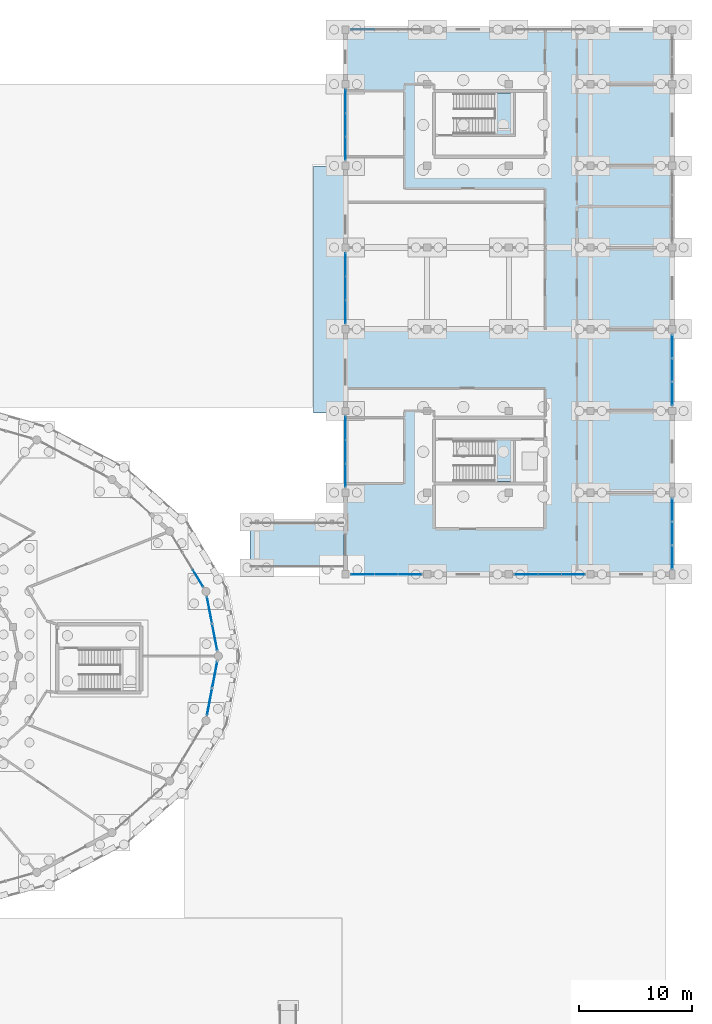
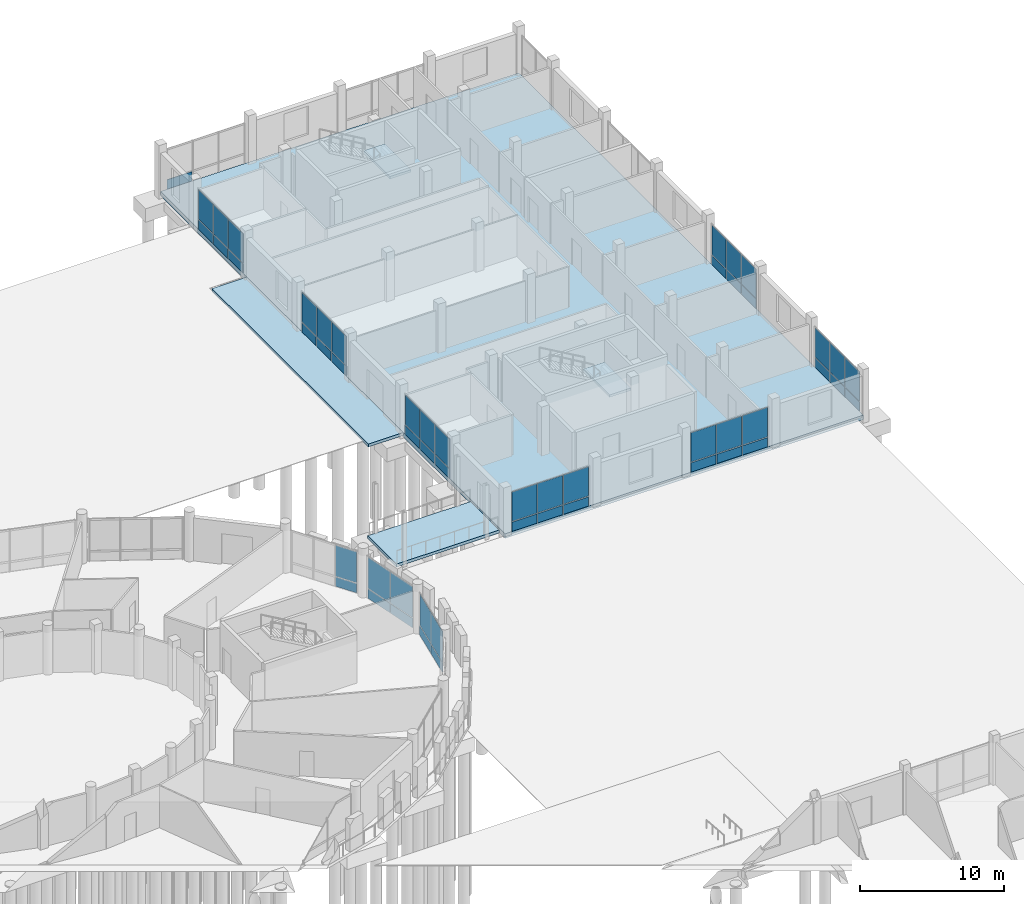
# One storey, part 69 of 98: 53 plates, 5 slabs, 13 elements without a shape of their own.
"""IFC4 building model written with IfcOpenShell, lengths in metres."""

import ifcopenshell
import ifcopenshell.guid

model = None  # the IFC model being written
_history = None  # IfcOwnerHistory: only IFC2X3 demands one
_inside = {}  # id of a spatial element -> (the spatial element, [elements in it])
_under = {}  # id of a project, library or spatial element -> (it, [spatial elements below it])
_declared = {}  # id of a project -> (the project, [libraries it declares])
_typed = {}  # id of a type object -> (the type object, [elements of that type])
_made_of = {}  # id of a material, layer set ... -> (it, [elements and type objects made of it])


def new_model(schema):
    """Start an empty IFC model of exactly this schema.

    Asked for "IFC4X3", IfcOpenShell would pick the latest addendum, in which some entities
    have other attributes; the version numbers below select the first issue.
    IFC2X3 requires an IfcOwnerHistory on every rooted entity: one is made here for all.
    """
    global model, _history
    if schema == "IFC4X3":
        model = ifcopenshell.file(schema_version=(4, 3, 0, 0))
    else:
        model = ifcopenshell.file(schema=schema)
    _inside.clear()
    _under.clear()
    _declared.clear()
    _typed.clear()
    _made_of.clear()
    _history = None
    if model.schema == "IFC2X3":
        org = make("IfcOrganization", Name="unknown")
        user = make(
            "IfcPersonAndOrganization",
            ThePerson=make("IfcPerson", FamilyName="unknown"),
            TheOrganization=org,
        )
        app = make(
            "IfcApplication",
            ApplicationDeveloper=org,
            Version="unknown",
            ApplicationFullName="unknown",
            ApplicationIdentifier="unknown",
        )
        _history = make(
            "IfcOwnerHistory",
            OwningUser=user,
            OwningApplication=app,
            ChangeAction="ADDED",
            CreationDate=0,
        )
    return model


def make(cls, **values):
    """One entity of the class cls with the attributes given. An attribute that is None is left unset."""
    return model.create_entity(
        cls, **{name: value for name, value in values.items() if value is not None}
    )


def rooted(cls, **values):
    """An entity with a GlobalId (a new one), such as an element, a storey or a relation."""
    return make(cls, GlobalId=ifcopenshell.guid.new(), OwnerHistory=_history, **values)


def si_unit(unit_type, name, prefix=None):
    """IfcSIUnit, for example si_unit("LENGTHUNIT", "METRE", prefix="MILLI")."""
    return make("IfcSIUnit", UnitType=unit_type, Prefix=prefix, Name=name)


def assignment(units):
    """IfcUnitAssignment: the units of a project."""
    return None if units is None else make("IfcUnitAssignment", Units=units)


def point(xyz):
    """IfcCartesianPoint."""
    return None if xyz is None else make("IfcCartesianPoint", Coordinates=xyz)


def direction(xyz):
    """IfcDirection."""
    return None if xyz is None else make("IfcDirection", DirectionRatios=xyz)


def frame(location, z_axis=None, x_axis=None):
    """IfcAxis2Placement3D, a coordinate frame: its origin and axes. An axis left out is left unset."""
    return make(
        "IfcAxis2Placement3D",
        Location=point(location),
        Axis=direction(z_axis),
        RefDirection=direction(x_axis),
    )


def frame_2d(location, x_axis=None):
    """IfcAxis2Placement2D, a coordinate frame in the plane: its origin and x axis."""
    return make(
        "IfcAxis2Placement2D", Location=point(location), RefDirection=direction(x_axis)
    )


def origin():
    """The frame at (0, 0, 0) with its axes left unset."""
    return frame((0.0, 0.0, 0.0))


def origin_2d():
    """The frame at (0, 0) in the plane with its x axis left unset."""
    return frame_2d((0.0, 0.0))


def place(relative_to, where):
    """IfcLocalPlacement: puts the frame where relative to a parent placement (None: the world)."""
    return make(
        "IfcLocalPlacement", PlacementRelTo=relative_to, RelativePlacement=where
    )


def context(
    kind, dimensions, precision=None, world=None, true_north=None, identifier=None
):
    """IfcGeometricRepresentationContext, for example the 3D "Model" context."""
    return make(
        "IfcGeometricRepresentationContext",
        ContextIdentifier=identifier,
        ContextType=kind,
        CoordinateSpaceDimension=dimensions,
        Precision=precision,
        WorldCoordinateSystem=world,
        TrueNorth=true_north,
    )


def subcontext(parent, identifier, kind, view, scale=None):
    """IfcGeometricRepresentationSubContext, for example "Body" below "Model"."""
    return make(
        "IfcGeometricRepresentationSubContext",
        ContextIdentifier=identifier,
        ContextType=kind,
        ParentContext=parent,
        TargetScale=scale,
        TargetView=view,
    )


def project(units=None, contexts=None):
    """IfcProject with its units and contexts."""
    return rooted(
        "IfcProject",
        Name="project",
        RepresentationContexts=contexts,
        UnitsInContext=assignment(units),
    )


def spatial(cls, under=None, at=None, **own):
    """A site, building, storey or space (cls), placed at a placement, below another one or the project."""
    s = rooted(cls, ObjectPlacement=at, **own)
    if under is not None:
        _under.setdefault(under.id(), (under, []))[1].append(s)
    return s


def polyline(points):
    """IfcPolyline through the points."""
    return make("IfcPolyline", Points=[point(p) for p in points])


def profile(cls, at=None, kind="AREA", **sizes):
    """A parametric profile (cls). Its sizes go by their IFC names, for example OverallWidth=200.0."""
    return make(cls, ProfileType=kind, Position=at, **sizes)


def rectangle(**sizes):
    """IfcRectangleProfileDef."""
    return profile("IfcRectangleProfileDef", **sizes)


def outline(outer, holes=None, kind="AREA"):
    """IfcArbitraryClosedProfileDef: a profile drawn as a closed curve; with holes, ...WithVoids."""
    if holes is None:
        return make("IfcArbitraryClosedProfileDef", ProfileType=kind, OuterCurve=outer)
    return make(
        "IfcArbitraryProfileDefWithVoids",
        ProfileType=kind,
        OuterCurve=outer,
        InnerCurves=holes,
    )


def extrude(swept, where, along, depth):
    """IfcExtrudedAreaSolid: the profile swept, set in the frame where, extruded along a direction by depth."""
    return make(
        "IfcExtrudedAreaSolid",
        SweptArea=swept,
        Position=where,
        ExtrudedDirection=direction(along),
        Depth=depth,
    )


def shape(context_of_items, identifier, shape_type, items):
    """IfcShapeRepresentation: the items that make up one representation, for example the "Body"."""
    return make(
        "IfcShapeRepresentation",
        ContextOfItems=context_of_items,
        RepresentationIdentifier=identifier,
        RepresentationType=shape_type,
        Items=items,
    )


def material(Name=None, Category=None):
    """IfcMaterial."""
    return make("IfcMaterial", Name=Name, Category=Category)


def layer(
    of_material, thickness, ventilated=None, Name=None, Category=None, Priority=None
):
    """IfcMaterialLayer: one layer of a wall or slab, of a material (None: an air gap)."""
    return make(
        "IfcMaterialLayer",
        Material=of_material,
        LayerThickness=thickness,
        IsVentilated=ventilated,
        Name=Name,
        Category=Category,
        Priority=Priority,
    )


def layer_set(layers, Name=None):
    """IfcMaterialLayerSet."""
    return make("IfcMaterialLayerSet", MaterialLayers=layers, LayerSetName=Name)


def made_of(thing, what):
    """Note that an element or type object is made of a material, layer set ...; save() writes the relation."""
    if what is not None:
        _made_of.setdefault(what.id(), (what, []))[1].append(thing)
    return thing


def type_object(cls, material=None, **own):
    """A type object (cls), such as IfcWallType, which elements share."""
    return made_of(rooted(cls, **own), material)


def element(
    cls,
    number,
    at=None,
    inside=None,
    cuts=None,
    type_object=None,
    material=None,
    context=None,
    identifier="Body",
    shape_type=None,
    held_by="IfcProductDefinitionShape",
    body=None,
    shapes=None,
    **own,
):
    """One element of the class cls, such as IfcWall. Its Tag is "e" and its number.

    at: its placement. inside: the storey or other place that contains it. cuts: it is an
    opening in that element (IfcRelVoidsElement). A single representation is given by context,
    identifier, shape_type and body (its items); several are given by shapes. held_by: the class
    of the entity that holds the representations. save() writes the other relations.
    """
    e = rooted(cls, Tag="e%d" % number, ObjectPlacement=at, **own)
    if body is not None:
        shapes = [shape(context, identifier, shape_type, body)]
    if shapes is not None:
        e.Representation = make(held_by, Representations=shapes)
    if inside is not None:
        _inside.setdefault(inside.id(), (inside, []))[1].append(e)
    if cuts is not None:
        rooted(
            "IfcRelVoidsElement", RelatingBuildingElement=cuts, RelatedOpeningElement=e
        )
    if type_object is not None:
        _typed.setdefault(type_object.id(), (type_object, []))[1].append(e)
    return made_of(e, material)


def aggregate(whole, parts):
    """IfcRelAggregates: a whole, such as a stair, and the parts it consists of."""
    return rooted("IfcRelAggregates", RelatingObject=whole, RelatedObjects=parts)


def save(model, path):
    """Write the relations noted so far, then the file.

    IfcRelAggregates (storeys below a building ...), IfcRelContainedInSpatialStructure (elements
    in a storey), IfcRelDefinesByType, IfcRelAssociatesMaterial and IfcRelDeclares: one each for
    every whole, place, type object, material and project.
    """
    for whole, parts in _under.values():
        aggregate(whole, parts)
    for where, things in _inside.values():
        rooted(
            "IfcRelContainedInSpatialStructure",
            RelatedElements=things,
            RelatingStructure=where,
        )
    for kind, things in _typed.values():
        rooted("IfcRelDefinesByType", RelatedObjects=things, RelatingType=kind)
    for what, things in _made_of.values():
        rooted("IfcRelAssociatesMaterial", RelatedObjects=things, RelatingMaterial=what)
    for by, libraries in _declared.values():
        rooted("IfcRelDeclares", RelatingContext=by, RelatedDefinitions=libraries)
    model.write(path)


model = new_model("IFC4")

# Units and contexts
model_context = context("Model", 3, precision=1e-05, world=origin(), true_north=direction((0.0, 1.0)))
body_context = subcontext(model_context, "Body", "Model", "MODEL_VIEW")
ifc_project = project(units=[si_unit("LENGTHUNIT", "METRE"), si_unit("AREAUNIT", "SQUARE_METRE"), si_unit("VOLUMEUNIT", "CUBIC_METRE"), si_unit("PLANEANGLEUNIT", "RADIAN"), si_unit("MASSUNIT", "GRAM", prefix="KILO")], contexts=[model_context])

# Site, building, storey
site_placement = place(None, origin())
site = spatial("IfcSite", under=ifc_project, at=site_placement, CompositionType="ELEMENT")
building_placement = place(site_placement, origin())
building = spatial("IfcBuilding", under=site, at=building_placement, Name="Zornivar Specialist Clinic", CompositionType="ELEMENT")
storey_placement = place(building_placement, origin())
storey = spatial("IfcBuildingStorey", under=building, at=storey_placement, Name="L00", CompositionType="ELEMENT", Elevation=0.0)

# Curtain wall, plates
ifc_material_1 = material(Name="Aluminium and Low-E Glass Curtain Wall", Category="aluminium")
curtain_wall_type_1 = type_object("IfcCurtainWallType", Name="CW-DRUM-FACET", PredefinedType="NOTDEFINED", material=ifc_material_1)
curtain_wall_1_placement = place(storey_placement, origin())
curtain_wall_1 = element("IfcCurtainWall", 1, at=curtain_wall_1_placement, inside=storey, type_object=curtain_wall_type_1, Name="cw:V1:L00:c00", PredefinedType="NOTDEFINED")
ifc_material_2 = material(Name="Insulated Bronze Spandrel Panel")
ifc_layer_1 = layer(ifc_material_2, 0.048095703125)
ifc_layer_set_1 = layer_set([ifc_layer_1], Name="Insulated Bronze Spandrel Panel")
plate_type_1 = type_object("IfcPlateType", Name="CWP-SPN-A", PredefinedType="CURTAIN_PANEL", material=ifc_layer_set_1)
plate_1_placement = place(storey_placement, frame((125.281982421875, 59.259033203125, 0.030029296875), z_axis=(0.0, 0.0, 1.0), x_axis=(-0.187896976838, 0.982188742602, 0.0)))
plate_1 = element("IfcPlate", 2, at=plate_1_placement, type_object=plate_type_1, Name="cw:V1:L00:c00:spn:0", PredefinedType="CURTAIN_PANEL", context=body_context, shape_type="SweptSolid", body=[
    extrude(rectangle(XDim=2.34912109375, YDim=0.048095703125, at=origin_2d()), origin(), (0.0, 0.0, 1.0), 0.7900390625),
])
plate_2_placement = place(storey_placement, frame((124.826904296875, 61.635009765625, 0.030029296875), z_axis=(0.0, 0.0, 1.0), x_axis=(-0.187896976838, 0.982188742602, 0.0)))
plate_2 = element("IfcPlate", 3, at=plate_2_placement, type_object=plate_type_1, Name="cw:V1:L00:c00:spn:1", PredefinedType="CURTAIN_PANEL", context=body_context, shape_type="SweptSolid", body=[
    extrude(rectangle(XDim=2.34912109375, YDim=0.048095703125, at=origin_2d()), origin(), (0.0, 0.0, 1.0), 0.7900390625),
])

# Curtain wall, plate
curtain_wall_2_placement = place(storey_placement, origin())
curtain_wall_2 = element("IfcCurtainWall", 4, at=curtain_wall_2_placement, inside=storey, type_object=curtain_wall_type_1, Name="cw:V1:L00:c01", PredefinedType="NOTDEFINED")
ifc_material_3 = material(Name="Insulated Bronze Spandrel Panel")
ifc_layer_2 = layer(ifc_material_3, 0.048095703125)
ifc_layer_set_2 = layer_set([ifc_layer_2], Name="Insulated Bronze Spandrel Panel")
plate_type_2 = type_object("IfcPlateType", Name="CWP-SPN-B", PredefinedType="CURTAIN_PANEL", material=ifc_layer_set_2)
plate_3_placement = place(storey_placement, frame((123.81201171875, 64.452880859375, 0.030029296875), z_axis=(0.0, 0.0, 1.0), x_axis=(-0.516127401954, 0.856511824175, 0.0)))
plate_3 = element("IfcPlate", 5, at=plate_3_placement, type_object=plate_type_2, Name="cw:V1:L00:c01:spn:0", PredefinedType="CURTAIN_PANEL", context=body_context, shape_type="SweptSolid", body=[
    extrude(rectangle(XDim=1.675048828125, YDim=0.048095703125, at=origin_2d()), origin(), (0.0, 0.0, 1.0), 0.7900390625),
])

# Curtain wall, plates
ifc_material_4 = material(Name="Aluminium and Low-E Glass Curtain Wall", Category="aluminium")
curtain_wall_type_2 = type_object("IfcCurtainWallType", Name="CW-LAB-NORTH", PredefinedType="NOTDEFINED", material=ifc_material_4)
curtain_wall_3_placement = place(storey_placement, origin())
curtain_wall_3 = element("IfcCurtainWall", 6, at=curtain_wall_3_placement, inside=storey, type_object=curtain_wall_type_2, Name="cw:V6:L00:00", PredefinedType="NOTDEFINED")
ifc_material_5 = material(Name="Insulated Limestone-Faced Spandrel Panel", Category="masonry")
ifc_layer_3 = layer(ifc_material_5, 0.05810546875)
ifc_layer_set_3 = layer_set([ifc_layer_3], Name="Insulated Limestone-Faced Spandrel Panel")
plate_type_3 = type_object("IfcPlateType", Name="CWP-SPN-D", PredefinedType="CURTAIN_PANEL", material=ifc_layer_set_3)
plate_4_placement = place(storey_placement, frame((138.320068359375, 64.800048828125, 0.030029296875), z_axis=(0.0, 0.0, 1.0), x_axis=(1.0, 0.0, 0.0)))
plate_4 = element("IfcPlate", 7, at=plate_4_placement, type_object=plate_type_3, Name="cw:V6:L00:00:spn:0", PredefinedType="CURTAIN_PANEL", context=body_context, shape_type="SweptSolid", body=[
    extrude(rectangle(XDim=2.010009765625, YDim=0.05810546875, at=origin_2d()), origin(), (0.0, 0.0, 1.0), 0.7900390625),
])
plate_5_placement = place(storey_placement, frame((140.39990234375, 64.800048828125, 0.030029296875), z_axis=(0.0, 0.0, 1.0), x_axis=(1.0, 0.0, 0.0)))
plate_5 = element("IfcPlate", 8, at=plate_5_placement, type_object=plate_type_3, Name="cw:V6:L00:00:spn:1", PredefinedType="CURTAIN_PANEL", context=body_context, shape_type="SweptSolid", body=[
    extrude(rectangle(XDim=2.010009765625, YDim=0.05810546875, at=origin_2d()), origin(), (0.0, 0.0, 1.0), 0.7900390625),
])
plate_6_placement = place(storey_placement, frame((142.47998046875, 64.800048828125, 0.030029296875), z_axis=(0.0, 0.0, 1.0), x_axis=(1.0, 0.0, 0.0)))
plate_6 = element("IfcPlate", 9, at=plate_6_placement, type_object=plate_type_3, Name="cw:V6:L00:00:spn:2", PredefinedType="CURTAIN_PANEL", context=body_context, shape_type="SweptSolid", body=[
    extrude(rectangle(XDim=2.010009765625, YDim=0.05810546875, at=origin_2d()), origin(), (0.0, 0.0, 1.0), 0.7900390625),
])

curtain_wall_4_placement = place(storey_placement, origin())
curtain_wall_4 = element("IfcCurtainWall", 10, at=curtain_wall_4_placement, inside=storey, type_object=curtain_wall_type_2, Name="cw:V6:L00:02", PredefinedType="NOTDEFINED")
plate_7_placement = place(storey_placement, frame((152.719970703125, 64.800048828125, 0.030029296875), z_axis=(0.0, 0.0, 1.0), x_axis=(1.0, 0.0, 0.0)))
plate_7 = element("IfcPlate", 11, at=plate_7_placement, type_object=plate_type_3, Name="cw:V6:L00:02:spn:0", PredefinedType="CURTAIN_PANEL", context=body_context, shape_type="SweptSolid", body=[
    extrude(rectangle(XDim=2.010009765625, YDim=0.05810546875, at=origin_2d()), origin(), (0.0, 0.0, 1.0), 0.7900390625),
])
plate_8_placement = place(storey_placement, frame((154.800048828125, 64.800048828125, 0.030029296875), z_axis=(0.0, 0.0, 1.0), x_axis=(1.0, 0.0, 0.0)))
plate_8 = element("IfcPlate", 12, at=plate_8_placement, type_object=plate_type_3, Name="cw:V6:L00:02:spn:1", PredefinedType="CURTAIN_PANEL", context=body_context, shape_type="SweptSolid", body=[
    extrude(rectangle(XDim=2.010009765625, YDim=0.05810546875, at=origin_2d()), origin(), (0.0, 0.0, 1.0), 0.7900390625),
])
plate_9_placement = place(storey_placement, frame((156.8798828125, 64.800048828125, 0.030029296875), z_axis=(0.0, 0.0, 1.0), x_axis=(1.0, 0.0, 0.0)))
plate_9 = element("IfcPlate", 13, at=plate_9_placement, type_object=plate_type_3, Name="cw:V6:L00:02:spn:2", PredefinedType="CURTAIN_PANEL", context=body_context, shape_type="SweptSolid", body=[
    extrude(rectangle(XDim=2.010009765625, YDim=0.05810546875, at=origin_2d()), origin(), (0.0, 0.0, 1.0), 0.7900390625),
])

curtain_wall_5_placement = place(storey_placement, origin())
curtain_wall_5 = element("IfcCurtainWall", 14, at=curtain_wall_5_placement, inside=storey, type_object=curtain_wall_type_2, Name="cw:V6:L00:04", PredefinedType="NOTDEFINED")
plate_10_placement = place(storey_placement, frame((165.60009765625, 66.320068359375, 0.030029296875), z_axis=(0.0, 0.0, 1.0), x_axis=(0.0, 1.0, 0.0)))
plate_10 = element("IfcPlate", 15, at=plate_10_placement, type_object=plate_type_3, Name="cw:V6:L00:04:spn:0", PredefinedType="CURTAIN_PANEL", context=body_context, shape_type="SweptSolid", body=[
    extrude(rectangle(XDim=2.010009765625, YDim=0.05810546875, at=origin_2d()), origin(), (0.0, 0.0, 1.0), 0.7900390625),
])
plate_11_placement = place(storey_placement, frame((165.60009765625, 68.39990234375, 0.030029296875), z_axis=(0.0, 0.0, 1.0), x_axis=(0.0, 1.0, 0.0)))
plate_11 = element("IfcPlate", 16, at=plate_11_placement, type_object=plate_type_3, Name="cw:V6:L00:04:spn:1", PredefinedType="CURTAIN_PANEL", context=body_context, shape_type="SweptSolid", body=[
    extrude(rectangle(XDim=2.010009765625, YDim=0.05810546875, at=origin_2d()), origin(), (0.0, 0.0, 1.0), 0.7900390625),
])
plate_12_placement = place(storey_placement, frame((165.60009765625, 70.47998046875, 0.030029296875), z_axis=(0.0, 0.0, 1.0), x_axis=(0.0, 1.0, 0.0)))
plate_12 = element("IfcPlate", 17, at=plate_12_placement, type_object=plate_type_3, Name="cw:V6:L00:04:spn:2", PredefinedType="CURTAIN_PANEL", context=body_context, shape_type="SweptSolid", body=[
    extrude(rectangle(XDim=2.010009765625, YDim=0.05810546875, at=origin_2d()), origin(), (0.0, 0.0, 1.0), 0.7900390625),
])

curtain_wall_6_placement = place(storey_placement, origin())
curtain_wall_6 = element("IfcCurtainWall", 18, at=curtain_wall_6_placement, inside=storey, type_object=curtain_wall_type_2, Name="cw:V6:L00:06", PredefinedType="NOTDEFINED")
plate_13_placement = place(storey_placement, frame((165.60009765625, 80.719970703125, 0.030029296875), z_axis=(0.0, 0.0, 1.0), x_axis=(0.0, 1.0, 0.0)))
plate_13 = element("IfcPlate", 19, at=plate_13_placement, type_object=plate_type_3, Name="cw:V6:L00:06:spn:0", PredefinedType="CURTAIN_PANEL", context=body_context, shape_type="SweptSolid", body=[
    extrude(rectangle(XDim=2.010009765625, YDim=0.05810546875, at=origin_2d()), origin(), (0.0, 0.0, 1.0), 0.7900390625),
])
plate_14_placement = place(storey_placement, frame((165.60009765625, 82.800048828125, 0.030029296875), z_axis=(0.0, 0.0, 1.0), x_axis=(0.0, 1.0, 0.0)))
plate_14 = element("IfcPlate", 20, at=plate_14_placement, type_object=plate_type_3, Name="cw:V6:L00:06:spn:1", PredefinedType="CURTAIN_PANEL", context=body_context, shape_type="SweptSolid", body=[
    extrude(rectangle(XDim=2.010009765625, YDim=0.05810546875, at=origin_2d()), origin(), (0.0, 0.0, 1.0), 0.7900390625),
])
plate_15_placement = place(storey_placement, frame((165.60009765625, 84.8798828125, 0.030029296875), z_axis=(0.0, 0.0, 1.0), x_axis=(0.0, 1.0, 0.0)))
plate_15 = element("IfcPlate", 21, at=plate_15_placement, type_object=plate_type_3, Name="cw:V6:L00:06:spn:2", PredefinedType="CURTAIN_PANEL", context=body_context, shape_type="SweptSolid", body=[
    extrude(rectangle(XDim=2.010009765625, YDim=0.05810546875, at=origin_2d()), origin(), (0.0, 0.0, 1.0), 0.7900390625),
])

# Curtain wall, plate
curtain_wall_7_placement = place(storey_placement, origin())
curtain_wall_7 = element("IfcCurtainWall", 22, at=curtain_wall_7_placement, inside=storey, type_object=curtain_wall_type_2, Name="cw:V6:L00:14", PredefinedType="NOTDEFINED")
plate_16_placement = place(storey_placement, frame((138.320068359375, 112.800048828125, 0.030029296875), z_axis=(0.0, 0.0, 1.0), x_axis=(-1.0, 0.0, 0.0)))
plate_16 = element("IfcPlate", 23, at=plate_16_placement, type_object=plate_type_3, Name="cw:V6:L00:14:spn:2", PredefinedType="CURTAIN_PANEL", context=body_context, shape_type="SweptSolid", body=[
    extrude(rectangle(XDim=2.010009765625, YDim=0.05810546875, at=origin_2d()), origin(), (0.0, 0.0, 1.0), 0.7900390625),
])
aggregate(curtain_wall_7, [plate_16])

# Curtain wall, plates
curtain_wall_8_placement = place(storey_placement, origin())
curtain_wall_8 = element("IfcCurtainWall", 24, at=curtain_wall_8_placement, inside=storey, type_object=curtain_wall_type_2, Name="cw:V6:L00:16", PredefinedType="NOTDEFINED")
plate_17_placement = place(storey_placement, frame((136.800048828125, 106.47998046875, 0.030029296875), z_axis=(0.0, 0.0, 1.0), x_axis=(0.0, -1.0, 0.0)))
plate_17 = element("IfcPlate", 25, at=plate_17_placement, type_object=plate_type_3, Name="cw:V6:L00:16:spn:0", PredefinedType="CURTAIN_PANEL", context=body_context, shape_type="SweptSolid", body=[
    extrude(rectangle(XDim=2.010009765625, YDim=0.05810546875, at=origin_2d()), origin(), (0.0, 0.0, 1.0), 0.7900390625),
])
plate_18_placement = place(storey_placement, frame((136.800048828125, 104.39990234375, 0.030029296875), z_axis=(0.0, 0.0, 1.0), x_axis=(0.0, -1.0, 0.0)))
plate_18 = element("IfcPlate", 26, at=plate_18_placement, type_object=plate_type_3, Name="cw:V6:L00:16:spn:1", PredefinedType="CURTAIN_PANEL", context=body_context, shape_type="SweptSolid", body=[
    extrude(rectangle(XDim=2.010009765625, YDim=0.05810546875, at=origin_2d()), origin(), (0.0, 0.0, 1.0), 0.7900390625),
])
plate_19_placement = place(storey_placement, frame((136.800048828125, 102.320068359375, 0.030029296875), z_axis=(0.0, 0.0, 1.0), x_axis=(0.0, -1.0, 0.0)))
plate_19 = element("IfcPlate", 27, at=plate_19_placement, type_object=plate_type_3, Name="cw:V6:L00:16:spn:2", PredefinedType="CURTAIN_PANEL", context=body_context, shape_type="SweptSolid", body=[
    extrude(rectangle(XDim=2.010009765625, YDim=0.05810546875, at=origin_2d()), origin(), (0.0, 0.0, 1.0), 0.7900390625),
])

curtain_wall_9_placement = place(storey_placement, origin())
curtain_wall_9 = element("IfcCurtainWall", 28, at=curtain_wall_9_placement, inside=storey, type_object=curtain_wall_type_2, Name="cw:V6:L00:18", PredefinedType="NOTDEFINED")
plate_20_placement = place(storey_placement, frame((136.800048828125, 92.080078125, 0.030029296875), z_axis=(0.0, 0.0, 1.0), x_axis=(0.0, -1.0, 0.0)))
plate_20 = element("IfcPlate", 29, at=plate_20_placement, type_object=plate_type_3, Name="cw:V6:L00:18:spn:0", PredefinedType="CURTAIN_PANEL", context=body_context, shape_type="SweptSolid", body=[
    extrude(rectangle(XDim=2.010009765625, YDim=0.05810546875, at=origin_2d()), origin(), (0.0, 0.0, 1.0), 0.7900390625),
])
plate_21_placement = place(storey_placement, frame((136.800048828125, 90.0, 0.030029296875), z_axis=(0.0, 0.0, 1.0), x_axis=(0.0, -1.0, 0.0)))
plate_21 = element("IfcPlate", 30, at=plate_21_placement, type_object=plate_type_3, Name="cw:V6:L00:18:spn:1", PredefinedType="CURTAIN_PANEL", context=body_context, shape_type="SweptSolid", body=[
    extrude(rectangle(XDim=2.010009765625, YDim=0.05810546875, at=origin_2d()), origin(), (0.0, 0.0, 1.0), 0.7900390625),
])
plate_22_placement = place(storey_placement, frame((136.800048828125, 87.919921875, 0.030029296875), z_axis=(0.0, 0.0, 1.0), x_axis=(0.0, -1.0, 0.0)))
plate_22 = element("IfcPlate", 31, at=plate_22_placement, type_object=plate_type_3, Name="cw:V6:L00:18:spn:2", PredefinedType="CURTAIN_PANEL", context=body_context, shape_type="SweptSolid", body=[
    extrude(rectangle(XDim=2.010009765625, YDim=0.05810546875, at=origin_2d()), origin(), (0.0, 0.0, 1.0), 0.7900390625),
])

curtain_wall_10_placement = place(storey_placement, origin())
curtain_wall_10 = element("IfcCurtainWall", 32, at=curtain_wall_10_placement, inside=storey, type_object=curtain_wall_type_2, Name="cw:V6:L00:20", PredefinedType="NOTDEFINED")
plate_23_placement = place(storey_placement, frame((136.800048828125, 77.679931640625, 0.030029296875), z_axis=(0.0, 0.0, 1.0), x_axis=(0.0, -1.0, 0.0)))
plate_23 = element("IfcPlate", 33, at=plate_23_placement, type_object=plate_type_3, Name="cw:V6:L00:20:spn:0", PredefinedType="CURTAIN_PANEL", context=body_context, shape_type="SweptSolid", body=[
    extrude(rectangle(XDim=2.010009765625, YDim=0.05810546875, at=origin_2d()), origin(), (0.0, 0.0, 1.0), 0.7900390625),
])
plate_24_placement = place(storey_placement, frame((136.800048828125, 75.60009765625, 0.030029296875), z_axis=(0.0, 0.0, 1.0), x_axis=(0.0, -1.0, 0.0)))
plate_24 = element("IfcPlate", 34, at=plate_24_placement, type_object=plate_type_3, Name="cw:V6:L00:20:spn:1", PredefinedType="CURTAIN_PANEL", context=body_context, shape_type="SweptSolid", body=[
    extrude(rectangle(XDim=2.010009765625, YDim=0.05810546875, at=origin_2d()), origin(), (0.0, 0.0, 1.0), 0.7900390625),
])
plate_25_placement = place(storey_placement, frame((136.800048828125, 73.52001953125, 0.030029296875), z_axis=(0.0, 0.0, 1.0), x_axis=(0.0, -1.0, 0.0)))
plate_25 = element("IfcPlate", 35, at=plate_25_placement, type_object=plate_type_3, Name="cw:V6:L00:20:spn:2", PredefinedType="CURTAIN_PANEL", context=body_context, shape_type="SweptSolid", body=[
    extrude(rectangle(XDim=2.010009765625, YDim=0.05810546875, at=origin_2d()), origin(), (0.0, 0.0, 1.0), 0.7900390625),
])

curtain_wall_11_placement = place(storey_placement, origin())
curtain_wall_11 = element("IfcCurtainWall", 36, at=curtain_wall_11_placement, inside=storey, type_object=curtain_wall_type_1, Name="cw:V1:L00:c23", PredefinedType="NOTDEFINED")
ifc_material_6 = material(Name="Insulated Terracotta Spandrel Panel", Category="masonry")
ifc_layer_4 = layer(ifc_material_6, 0.05810546875)
ifc_layer_set_4 = layer_set([ifc_layer_4], Name="Insulated Terracotta Spandrel Panel")
plate_type_4 = type_object("IfcPlateType", Name="CWP-SPN-F", PredefinedType="CURTAIN_PANEL", material=ifc_layer_set_4)
plate_26_placement = place(storey_placement, frame((124.827880859375, 53.56494140625, 0.030029296875), z_axis=(0.0, 0.0, 1.0), x_axis=(0.187896976838, 0.982188742602, 0.0)))
plate_26 = element("IfcPlate", 37, at=plate_26_placement, type_object=plate_type_4, Name="cw:V1:L00:c23:spn:0", PredefinedType="CURTAIN_PANEL", context=body_context, shape_type="SweptSolid", body=[
    extrude(rectangle(XDim=2.34912109375, YDim=0.05810546875, at=origin_2d()), origin(), (0.0, 0.0, 1.0), 0.7900390625),
])
plate_27_placement = place(storey_placement, frame((125.282958984375, 55.94091796875, 0.030029296875), z_axis=(0.0, 0.0, 1.0), x_axis=(0.187896976838, 0.982188742602, 0.0)))
plate_27 = element("IfcPlate", 38, at=plate_27_placement, type_object=plate_type_4, Name="cw:V1:L00:c23:spn:1", PredefinedType="CURTAIN_PANEL", context=body_context, shape_type="SweptSolid", body=[
    extrude(rectangle(XDim=2.34912109375, YDim=0.05810546875, at=origin_2d()), origin(), (0.0, 0.0, 1.0), 0.7900390625),
])

# Plate
ifc_material_7 = material(Name="Triple Low-E Vision Glass", Category="glass")
ifc_layer_5 = layer(ifc_material_7, 0.035888671875)
ifc_layer_set_5 = layer_set([ifc_layer_5], Name="Triple Low-E Vision Glass")
plate_type_5 = type_object("IfcPlateType", Name="CWP-VIS-A", PredefinedType="CURTAIN_PANEL", material=ifc_layer_set_5)
plate_28_placement = place(storey_placement, frame((125.281982421875, 59.259033203125, 0.884521484375), z_axis=(0.0, 0.0, 1.0), x_axis=(-0.187896976838, 0.982188742602, 0.0)))
plate_28 = element("IfcPlate", 39, at=plate_28_placement, type_object=plate_type_5, Name="cw:V1:L00:c00:vis:0", PredefinedType="CURTAIN_PANEL", context=body_context, shape_type="SweptSolid", body=[
    extrude(rectangle(XDim=2.34912109375, YDim=0.035888671875, at=origin_2d()), origin(), (0.0, 0.0, 1.0), 2.625),
])

plate_29_placement = place(storey_placement, frame((124.826904296875, 61.635009765625, 0.884521484375), z_axis=(0.0, 0.0, 1.0), x_axis=(-0.187896976838, 0.982188742602, 0.0)))
plate_29 = element("IfcPlate", 40, at=plate_29_placement, type_object=plate_type_5, Name="cw:V1:L00:c00:vis:1", PredefinedType="CURTAIN_PANEL", context=body_context, shape_type="SweptSolid", body=[
    extrude(rectangle(XDim=2.34912109375, YDim=0.035888671875, at=origin_2d()), origin(), (0.0, 0.0, 1.0), 2.625),
])

aggregate(curtain_wall_1, [plate_1, plate_28, plate_2, plate_29])

ifc_material_8 = material(Name="Triple Low-E Vision Glass", Category="glass")
ifc_layer_6 = layer(ifc_material_8, 0.035888671875)
ifc_layer_set_6 = layer_set([ifc_layer_6], Name="Triple Low-E Vision Glass")
plate_type_6 = type_object("IfcPlateType", Name="CWP-VIS-B", PredefinedType="CURTAIN_PANEL", material=ifc_layer_set_6)
plate_30_placement = place(storey_placement, frame((123.81201171875, 64.452880859375, 0.884521484375), z_axis=(0.0, 0.0, 1.0), x_axis=(-0.516127401954, 0.856511824175, 0.0)))
plate_30 = element("IfcPlate", 41, at=plate_30_placement, type_object=plate_type_6, Name="cw:V1:L00:c01:vis:0", PredefinedType="CURTAIN_PANEL", context=body_context, shape_type="SweptSolid", body=[
    extrude(rectangle(XDim=1.675048828125, YDim=0.035888671875, at=origin_2d()), origin(), (0.0, 0.0, 1.0), 2.625),
])

aggregate(curtain_wall_2, [plate_3, plate_30])

ifc_material_9 = material(Name="Triple Low-E Vision Glass", Category="glass")
ifc_layer_7 = layer(ifc_material_9, 0.0380859375)
ifc_layer_set_7 = layer_set([ifc_layer_7], Name="Triple Low-E Vision Glass")
plate_type_7 = type_object("IfcPlateType", Name="CWP-VIS-D", PredefinedType="CURTAIN_PANEL", material=ifc_layer_set_7)
plate_31_placement = place(storey_placement, frame((124.827880859375, 53.56494140625, 0.884521484375), z_axis=(0.0, 0.0, 1.0), x_axis=(0.187896976838, 0.982188742602, 0.0)))
plate_31 = element("IfcPlate", 42, at=plate_31_placement, type_object=plate_type_7, Name="cw:V1:L00:c23:vis:0", PredefinedType="CURTAIN_PANEL", context=body_context, shape_type="SweptSolid", body=[
    extrude(rectangle(XDim=2.34912109375, YDim=0.0380859375, at=origin_2d()), origin(), (0.0, 0.0, 1.0), 2.625),
])

plate_32_placement = place(storey_placement, frame((125.282958984375, 55.94091796875, 0.884521484375), z_axis=(0.0, 0.0, 1.0), x_axis=(0.187896976838, 0.982188742602, 0.0)))
plate_32 = element("IfcPlate", 43, at=plate_32_placement, type_object=plate_type_7, Name="cw:V1:L00:c23:vis:1", PredefinedType="CURTAIN_PANEL", context=body_context, shape_type="SweptSolid", body=[
    extrude(rectangle(XDim=2.34912109375, YDim=0.0380859375, at=origin_2d()), origin(), (0.0, 0.0, 1.0), 2.625),
])

aggregate(curtain_wall_11, [plate_26, plate_31, plate_27, plate_32])

ifc_material_10 = material(Name="Triple Low-E Vision Glass", Category="glass")
ifc_layer_8 = layer(ifc_material_10, 0.035888671875)
ifc_layer_set_8 = layer_set([ifc_layer_8], Name="Triple Low-E Vision Glass")
plate_type_8 = type_object("IfcPlateType", Name="CWP-VIS-F", PredefinedType="CURTAIN_PANEL", material=ifc_layer_set_8)
plate_33_placement = place(storey_placement, frame((152.719970703125, 64.800048828125, 0.88427734375), z_axis=(0.0, 0.0, 1.0), x_axis=(1.0, 0.0, 0.0)))
plate_33 = element("IfcPlate", 44, at=plate_33_placement, type_object=plate_type_8, Name="cw:V6:L00:02:vis:0", PredefinedType="CURTAIN_PANEL", context=body_context, shape_type="SweptSolid", body=[
    extrude(rectangle(XDim=2.010009765625, YDim=0.035888671875, at=origin_2d()), origin(), (0.0, 0.0, 1.0), 2.485107421875),
])

plate_34_placement = place(storey_placement, frame((154.800048828125, 64.800048828125, 0.88427734375), z_axis=(0.0, 0.0, 1.0), x_axis=(1.0, 0.0, 0.0)))
plate_34 = element("IfcPlate", 45, at=plate_34_placement, type_object=plate_type_8, Name="cw:V6:L00:02:vis:1", PredefinedType="CURTAIN_PANEL", context=body_context, shape_type="SweptSolid", body=[
    extrude(rectangle(XDim=2.010009765625, YDim=0.035888671875, at=origin_2d()), origin(), (0.0, 0.0, 1.0), 2.485107421875),
])

plate_35_placement = place(storey_placement, frame((156.8798828125, 64.800048828125, 0.88427734375), z_axis=(0.0, 0.0, 1.0), x_axis=(1.0, 0.0, 0.0)))
plate_35 = element("IfcPlate", 46, at=plate_35_placement, type_object=plate_type_8, Name="cw:V6:L00:02:vis:2", PredefinedType="CURTAIN_PANEL", context=body_context, shape_type="SweptSolid", body=[
    extrude(rectangle(XDim=2.010009765625, YDim=0.035888671875, at=origin_2d()), origin(), (0.0, 0.0, 1.0), 2.485107421875),
])

aggregate(curtain_wall_4, [plate_7, plate_33, plate_8, plate_34, plate_9, plate_35])

plate_36_placement = place(storey_placement, frame((165.60009765625, 80.719970703125, 0.88427734375), z_axis=(0.0, 0.0, 1.0), x_axis=(0.0, 1.0, 0.0)))
plate_36 = element("IfcPlate", 47, at=plate_36_placement, type_object=plate_type_8, Name="cw:V6:L00:06:vis:0", PredefinedType="CURTAIN_PANEL", context=body_context, shape_type="SweptSolid", body=[
    extrude(rectangle(XDim=2.010009765625, YDim=0.035888671875, at=origin_2d()), origin(), (0.0, 0.0, 1.0), 2.485107421875),
])

plate_37_placement = place(storey_placement, frame((165.60009765625, 82.800048828125, 0.88427734375), z_axis=(0.0, 0.0, 1.0), x_axis=(0.0, 1.0, 0.0)))
plate_37 = element("IfcPlate", 48, at=plate_37_placement, type_object=plate_type_8, Name="cw:V6:L00:06:vis:1", PredefinedType="CURTAIN_PANEL", context=body_context, shape_type="SweptSolid", body=[
    extrude(rectangle(XDim=2.010009765625, YDim=0.035888671875, at=origin_2d()), origin(), (0.0, 0.0, 1.0), 2.485107421875),
])

plate_38_placement = place(storey_placement, frame((165.60009765625, 84.8798828125, 0.88427734375), z_axis=(0.0, 0.0, 1.0), x_axis=(0.0, 1.0, 0.0)))
plate_38 = element("IfcPlate", 49, at=plate_38_placement, type_object=plate_type_8, Name="cw:V6:L00:06:vis:2", PredefinedType="CURTAIN_PANEL", context=body_context, shape_type="SweptSolid", body=[
    extrude(rectangle(XDim=2.010009765625, YDim=0.035888671875, at=origin_2d()), origin(), (0.0, 0.0, 1.0), 2.485107421875),
])

aggregate(curtain_wall_6, [plate_13, plate_36, plate_14, plate_37, plate_15, plate_38])

plate_39_placement = place(storey_placement, frame((136.800048828125, 92.080078125, 0.88427734375), z_axis=(0.0, 0.0, 1.0), x_axis=(0.0, -1.0, 0.0)))
plate_39 = element("IfcPlate", 50, at=plate_39_placement, type_object=plate_type_8, Name="cw:V6:L00:18:vis:0", PredefinedType="CURTAIN_PANEL", context=body_context, shape_type="SweptSolid", body=[
    extrude(rectangle(XDim=2.010009765625, YDim=0.035888671875, at=origin_2d()), origin(), (0.0, 0.0, 1.0), 2.485107421875),
])

plate_40_placement = place(storey_placement, frame((136.800048828125, 90.0, 0.88427734375), z_axis=(0.0, 0.0, 1.0), x_axis=(0.0, -1.0, 0.0)))
plate_40 = element("IfcPlate", 51, at=plate_40_placement, type_object=plate_type_8, Name="cw:V6:L00:18:vis:1", PredefinedType="CURTAIN_PANEL", context=body_context, shape_type="SweptSolid", body=[
    extrude(rectangle(XDim=2.010009765625, YDim=0.035888671875, at=origin_2d()), origin(), (0.0, 0.0, 1.0), 2.485107421875),
])

plate_41_placement = place(storey_placement, frame((136.800048828125, 87.919921875, 0.88427734375), z_axis=(0.0, 0.0, 1.0), x_axis=(0.0, -1.0, 0.0)))
plate_41 = element("IfcPlate", 52, at=plate_41_placement, type_object=plate_type_8, Name="cw:V6:L00:18:vis:2", PredefinedType="CURTAIN_PANEL", context=body_context, shape_type="SweptSolid", body=[
    extrude(rectangle(XDim=2.010009765625, YDim=0.035888671875, at=origin_2d()), origin(), (0.0, 0.0, 1.0), 2.485107421875),
])

aggregate(curtain_wall_9, [plate_20, plate_39, plate_21, plate_40, plate_22, plate_41])

ifc_material_11 = material(Name="Triple Low-E Vision Glass", Category="glass")
ifc_layer_9 = layer(ifc_material_11, 0.035888671875)
ifc_layer_set_9 = layer_set([ifc_layer_9], Name="Triple Low-E Vision Glass")
plate_type_9 = type_object("IfcPlateType", Name="CWP-VIS-G", PredefinedType="CURTAIN_PANEL", material=ifc_layer_set_9)
plate_42_placement = place(storey_placement, frame((138.320068359375, 64.800048828125, 0.88427734375), z_axis=(0.0, 0.0, 1.0), x_axis=(1.0, 0.0, 0.0)))
plate_42 = element("IfcPlate", 53, at=plate_42_placement, type_object=plate_type_9, Name="cw:V6:L00:00:vis:0", PredefinedType="CURTAIN_PANEL", context=body_context, shape_type="SweptSolid", body=[
    extrude(rectangle(XDim=2.010009765625, YDim=0.035888671875, at=origin_2d()), origin(), (0.0, 0.0, 1.0), 2.485107421875),
])

plate_43_placement = place(storey_placement, frame((140.39990234375, 64.800048828125, 0.88427734375), z_axis=(0.0, 0.0, 1.0), x_axis=(1.0, 0.0, 0.0)))
plate_43 = element("IfcPlate", 54, at=plate_43_placement, type_object=plate_type_9, Name="cw:V6:L00:00:vis:1", PredefinedType="CURTAIN_PANEL", context=body_context, shape_type="SweptSolid", body=[
    extrude(rectangle(XDim=2.010009765625, YDim=0.035888671875, at=origin_2d()), origin(), (0.0, 0.0, 1.0), 2.485107421875),
])

plate_44_placement = place(storey_placement, frame((142.47998046875, 64.800048828125, 0.88427734375), z_axis=(0.0, 0.0, 1.0), x_axis=(1.0, 0.0, 0.0)))
plate_44 = element("IfcPlate", 55, at=plate_44_placement, type_object=plate_type_9, Name="cw:V6:L00:00:vis:2", PredefinedType="CURTAIN_PANEL", context=body_context, shape_type="SweptSolid", body=[
    extrude(rectangle(XDim=2.010009765625, YDim=0.035888671875, at=origin_2d()), origin(), (0.0, 0.0, 1.0), 2.485107421875),
])

aggregate(curtain_wall_3, [plate_4, plate_42, plate_5, plate_43, plate_6, plate_44])

plate_45_placement = place(storey_placement, frame((165.60009765625, 66.320068359375, 0.88427734375), z_axis=(0.0, 0.0, 1.0), x_axis=(0.0, 1.0, 0.0)))
plate_45 = element("IfcPlate", 56, at=plate_45_placement, type_object=plate_type_9, Name="cw:V6:L00:04:vis:0", PredefinedType="CURTAIN_PANEL", context=body_context, shape_type="SweptSolid", body=[
    extrude(rectangle(XDim=2.010009765625, YDim=0.035888671875, at=origin_2d()), origin(), (0.0, 0.0, 1.0), 2.485107421875),
])

plate_46_placement = place(storey_placement, frame((165.60009765625, 68.39990234375, 0.88427734375), z_axis=(0.0, 0.0, 1.0), x_axis=(0.0, 1.0, 0.0)))
plate_46 = element("IfcPlate", 57, at=plate_46_placement, type_object=plate_type_9, Name="cw:V6:L00:04:vis:1", PredefinedType="CURTAIN_PANEL", context=body_context, shape_type="SweptSolid", body=[
    extrude(rectangle(XDim=2.010009765625, YDim=0.035888671875, at=origin_2d()), origin(), (0.0, 0.0, 1.0), 2.485107421875),
])

plate_47_placement = place(storey_placement, frame((165.60009765625, 70.47998046875, 0.88427734375), z_axis=(0.0, 0.0, 1.0), x_axis=(0.0, 1.0, 0.0)))
plate_47 = element("IfcPlate", 58, at=plate_47_placement, type_object=plate_type_9, Name="cw:V6:L00:04:vis:2", PredefinedType="CURTAIN_PANEL", context=body_context, shape_type="SweptSolid", body=[
    extrude(rectangle(XDim=2.010009765625, YDim=0.035888671875, at=origin_2d()), origin(), (0.0, 0.0, 1.0), 2.485107421875),
])

aggregate(curtain_wall_5, [plate_10, plate_45, plate_11, plate_46, plate_12, plate_47])

plate_48_placement = place(storey_placement, frame((136.800048828125, 106.47998046875, 0.88427734375), z_axis=(0.0, 0.0, 1.0), x_axis=(0.0, -1.0, 0.0)))
plate_48 = element("IfcPlate", 59, at=plate_48_placement, type_object=plate_type_9, Name="cw:V6:L00:16:vis:0", PredefinedType="CURTAIN_PANEL", context=body_context, shape_type="SweptSolid", body=[
    extrude(rectangle(XDim=2.010009765625, YDim=0.035888671875, at=origin_2d()), origin(), (0.0, 0.0, 1.0), 2.485107421875),
])

plate_49_placement = place(storey_placement, frame((136.800048828125, 104.39990234375, 0.88427734375), z_axis=(0.0, 0.0, 1.0), x_axis=(0.0, -1.0, 0.0)))
plate_49 = element("IfcPlate", 60, at=plate_49_placement, type_object=plate_type_9, Name="cw:V6:L00:16:vis:1", PredefinedType="CURTAIN_PANEL", context=body_context, shape_type="SweptSolid", body=[
    extrude(rectangle(XDim=2.010009765625, YDim=0.035888671875, at=origin_2d()), origin(), (0.0, 0.0, 1.0), 2.485107421875),
])

plate_50_placement = place(storey_placement, frame((136.800048828125, 102.320068359375, 0.88427734375), z_axis=(0.0, 0.0, 1.0), x_axis=(0.0, -1.0, 0.0)))
plate_50 = element("IfcPlate", 61, at=plate_50_placement, type_object=plate_type_9, Name="cw:V6:L00:16:vis:2", PredefinedType="CURTAIN_PANEL", context=body_context, shape_type="SweptSolid", body=[
    extrude(rectangle(XDim=2.010009765625, YDim=0.035888671875, at=origin_2d()), origin(), (0.0, 0.0, 1.0), 2.485107421875),
])

aggregate(curtain_wall_8, [plate_17, plate_48, plate_18, plate_49, plate_19, plate_50])

plate_51_placement = place(storey_placement, frame((136.800048828125, 77.679931640625, 0.88427734375), z_axis=(0.0, 0.0, 1.0), x_axis=(0.0, -1.0, 0.0)))
plate_51 = element("IfcPlate", 62, at=plate_51_placement, type_object=plate_type_9, Name="cw:V6:L00:20:vis:0", PredefinedType="CURTAIN_PANEL", context=body_context, shape_type="SweptSolid", body=[
    extrude(rectangle(XDim=2.010009765625, YDim=0.035888671875, at=origin_2d()), origin(), (0.0, 0.0, 1.0), 2.485107421875),
])

plate_52_placement = place(storey_placement, frame((136.800048828125, 75.60009765625, 0.88427734375), z_axis=(0.0, 0.0, 1.0), x_axis=(0.0, -1.0, 0.0)))
plate_52 = element("IfcPlate", 63, at=plate_52_placement, type_object=plate_type_9, Name="cw:V6:L00:20:vis:1", PredefinedType="CURTAIN_PANEL", context=body_context, shape_type="SweptSolid", body=[
    extrude(rectangle(XDim=2.010009765625, YDim=0.035888671875, at=origin_2d()), origin(), (0.0, 0.0, 1.0), 2.485107421875),
])

plate_53_placement = place(storey_placement, frame((136.800048828125, 73.52001953125, 0.88427734375), z_axis=(0.0, 0.0, 1.0), x_axis=(0.0, -1.0, 0.0)))
plate_53 = element("IfcPlate", 64, at=plate_53_placement, type_object=plate_type_9, Name="cw:V6:L00:20:vis:2", PredefinedType="CURTAIN_PANEL", context=body_context, shape_type="SweptSolid", body=[
    extrude(rectangle(XDim=2.010009765625, YDim=0.035888671875, at=origin_2d()), origin(), (0.0, 0.0, 1.0), 2.485107421875),
])

aggregate(curtain_wall_10, [plate_23, plate_51, plate_24, plate_52, plate_25, plate_53])

# Slabs
ifc_material_12 = material(Name="Concrete C30/37", Category="concrete")
ifc_layer_10 = layer(ifc_material_12, 0.3798828125)
ifc_layer_set_10 = layer_set([ifc_layer_10], Name="Concrete C30/37")
slab_type_1 = type_object("IfcSlabType", Name="SLB-BASE-380", PredefinedType="BASESLAB", material=ifc_layer_set_10)
slab_1_placement = place(storey_placement, frame((0.0, 0.0, -0.3798828125)))
element("IfcSlab", 65, at=slab_1_placement, inside=storey, type_object=slab_type_1, Name="slab:V6:L00:main", PredefinedType="BASESLAB", context=body_context, shape_type="SweptSolid", body=[
    extrude(outline(polyline([(136.800048828125, 64.800048828125), (165.60009765625, 64.800048828125), (165.60009765625, 112.800048828125), (136.800048828125, 112.800048828125), (136.800048828125, 64.800048828125)])), origin(), (0.0, 0.0, 1.0), 0.3798828125),
])
ifc_material_13 = material(Name="Concrete C30/37", Category="concrete")
ifc_layer_11 = layer(ifc_material_13, 0.25)
ifc_layer_set_11 = layer_set([ifc_layer_11], Name="Concrete C30/37")
slab_type_2 = type_object("IfcSlabType", Name="SLB-EXT-APRON-250", PredefinedType="FLOOR", material=ifc_layer_set_11)
slab_2_placement = place(storey_placement, frame((0.0, 0.0, -0.25)))
element("IfcSlab", 66, at=slab_2_placement, inside=storey, type_object=slab_type_2, Name="slab:BR3:L00:walk", PredefinedType="FLOOR", context=body_context, shape_type="SweptSolid", body=[
    extrude(outline(polyline([(128.39990234375, 65.39990234375), (136.679931640625, 65.39990234375), (136.679931640625, 69.39990234375), (128.39990234375, 69.39990234375), (128.39990234375, 65.39990234375)])), origin(), (0.0, 0.0, 1.0), 0.25),
])
slab_3_placement = place(storey_placement, frame((0.0, 0.0, -0.25)))
element("IfcSlab", 67, at=slab_3_placement, inside=storey, type_object=slab_type_2, Name="slab:apron:L00:V6W", PredefinedType="FLOOR", context=body_context, shape_type="SweptSolid", body=[
    extrude(outline(polyline([(134.0, 79.0), (136.800048828125, 79.0), (136.800048828125, 100.800048828125), (134.0, 100.800048828125), (134.0, 79.0)])), origin(), (0.0, 0.0, 1.0), 0.25),
])

# Stair, slab
ifc_material_14 = material(Name="Concrete C30/37", Category="concrete")
stair_type = type_object("IfcStairType", Name="STR-CORE-L00-L01", PredefinedType="HALF_TURN_STAIR", material=ifc_material_14)
stair_1_placement = place(storey_placement, origin())
stair_1 = element("IfcStair", 68, at=stair_1_placement, inside=storey, type_object=stair_type, Name="stair:C9:L00", PredefinedType="HALF_TURN_STAIR")
ifc_material_15 = material(Name="Concrete C30/37", Category="concrete")
ifc_layer_12 = layer(ifc_material_15, 0.2099609375)
ifc_layer_set_12 = layer_set([ifc_layer_12], Name="Concrete C30/37")
slab_type_3 = type_object("IfcSlabType", Name="SLB-LANDING-210", PredefinedType="LANDING", material=ifc_layer_set_12)
slab_4_placement = place(storey_placement, frame((0.0, 0.0, 2.0400390625)))
slab_4 = element("IfcSlab", 69, at=slab_4_placement, type_object=slab_type_3, Name="stair:C9:L00:land", PredefinedType="LANDING", context=body_context, shape_type="SweptSolid", body=[
    extrude(outline(polyline([(149.919921875, 72.97998046875), (151.6201171875, 72.97998046875), (151.6201171875, 76.6201171875), (149.919921875, 76.6201171875), (149.919921875, 72.97998046875)])), origin(), (0.0, 0.0, 1.0), 0.2099609375),
])
aggregate(stair_1, [slab_4])

stair_2_placement = place(storey_placement, origin())
stair_2 = element("IfcStair", 70, at=stair_2_placement, inside=storey, type_object=stair_type, Name="stair:C10:L00", PredefinedType="HALF_TURN_STAIR")
slab_5_placement = place(storey_placement, frame((0.0, 0.0, 2.0400390625)))
slab_5 = element("IfcSlab", 71, at=slab_5_placement, type_object=slab_type_3, Name="stair:C10:L00:land", PredefinedType="LANDING", context=body_context, shape_type="SweptSolid", body=[
    extrude(outline(polyline([(149.919921875, 103.580078125), (151.6201171875, 103.580078125), (151.6201171875, 107.219970703125), (149.919921875, 107.219970703125), (149.919921875, 103.580078125)])), origin(), (0.0, 0.0, 1.0), 0.2099609375),
])
aggregate(stair_2, [slab_5])

save(model, "model.ifc")
